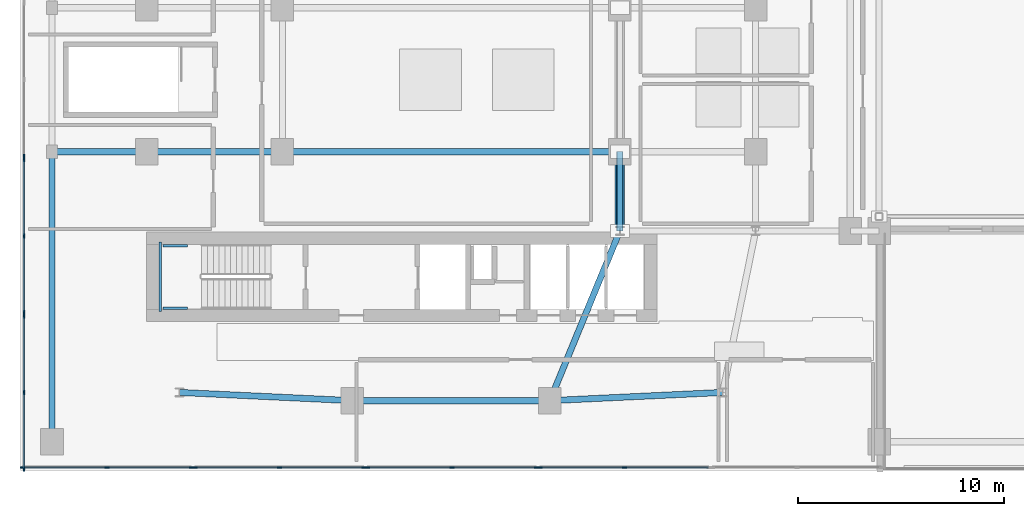
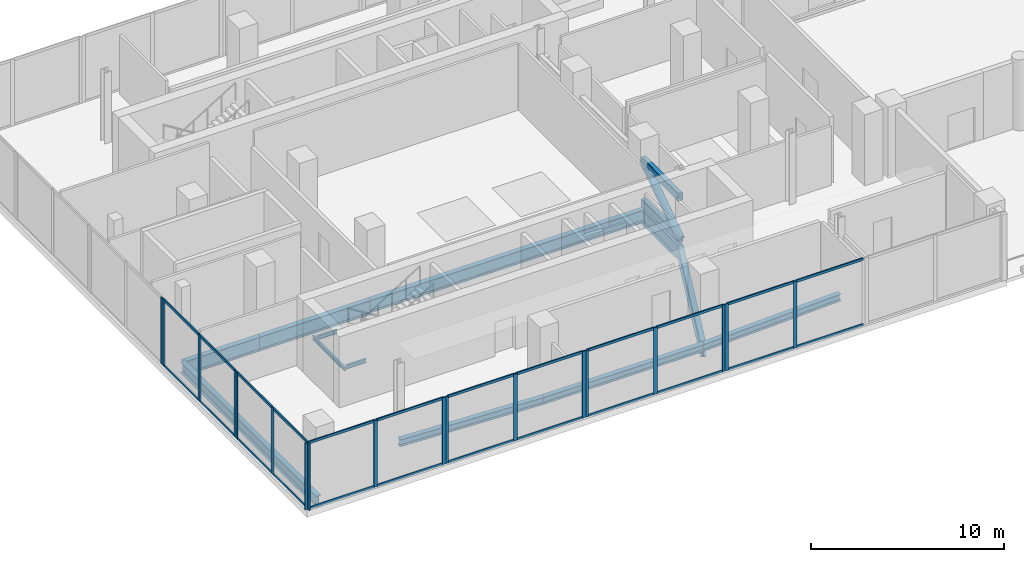
# One storey, part 4 of 21: 45 members, 12 beams, 7 elements without a shape of their own.
"""IFC4 building model written with IfcOpenShell, lengths in metres."""

from ifc_helpers import new_model, si_unit, derived_unit, direction, frame, origin, origin_2d, place, context, subcontext, project, spatial, rectangle, hollow_rectangle, hollow_circle, i_section, extrude, material, layer, layer_set, material_profile, profile_set, type_object, element, aggregate, save


model = new_model("IFC4")

# Units and contexts
model_context = context("Model", 3, precision=1e-05, world=origin(), true_north=direction((0.0, 1.0)))
body_context = subcontext(model_context, "Body", "Model", "MODEL_VIEW")
ifc_project = project(units=[si_unit("LENGTHUNIT", "METRE"), si_unit("AREAUNIT", "SQUARE_METRE"), si_unit("VOLUMEUNIT", "CUBIC_METRE"), si_unit("PLANEANGLEUNIT", "RADIAN"), si_unit("MASSUNIT", "GRAM", prefix="KILO"), derived_unit("THERMALTRANSMITTANCEUNIT", [(si_unit("POWERUNIT", "WATT"), 1), (si_unit("LENGTHUNIT", "METRE"), -2), (si_unit("THERMODYNAMICTEMPERATUREUNIT", "KELVIN"), -1)])], contexts=[model_context])

# Site, building, storey
site_placement = place(None, origin())
site = spatial("IfcSite", under=ifc_project, at=site_placement, CompositionType="ELEMENT")
building_placement = place(site_placement, origin())
building = spatial("IfcBuilding", under=site, at=building_placement, Name="Kivonza Crest Hotel", CompositionType="ELEMENT")
storey_placement = place(building_placement, frame((0.0, 0.0, 19.5)))
storey = spatial("IfcBuildingStorey", under=building, at=storey_placement, Name="L04", CompositionType="ELEMENT", Elevation=19.5)

# Beams
ifc_material_1 = material(Name="Steel S355", Category="steel")
ifc_material_profile_1 = material_profile(ifc_material_1, i_section(OverallWidth=0.300048828125, OverallDepth=0.449951171875, WebThickness=0.013916015625, FlangeThickness=0.02587890625, FilletRadius=0.027099609375, at=origin_2d()), Name="HEB 450")
ifc_profile_set_1 = profile_set([ifc_material_profile_1], Name="Steel S355")
beam_type_1 = type_object("IfcBeamType", Name="BM-HEB450", PredefinedType="SPANDREL", material=ifc_profile_set_1)
beam_1_placement = place(storey_placement, frame((16.199951171875, 9.39990234375, -0.625), z_axis=(1.0, 0.0, 0.0), x_axis=(0.0, 1.0, 0.0)))
element("IfcBeam", 1, at=beam_1_placement, inside=storey, type_object=beam_type_1, Name="Tower T1 L04 perimeter spandrel S1-S2", PredefinedType="SPANDREL", context=body_context, shape_type="SweptSolid", body=[
    extrude(i_section(OverallWidth=0.300048828125, OverallDepth=0.449951171875, WebThickness=0.013916015625, FlangeThickness=0.02587890625, FilletRadius=0.027099609375, at=origin_2d()), origin(), (0.0, 0.0, 1.0), 9.60009765625),
])
for number, where, z_axis, x_axis, name in (
    (2, (25.800048828125, 9.39990234375, -0.625), (0.998867283688, 0.047583080799, 0.0), (-0.047583080799, 0.998867283688, 0.0), "Tower T1 L04 perimeter spandrel S2-SE"),
    (3, (7.800048828125, 9.800048828125, -0.625), (0.998867283688, -0.047583080799, 0.0), (0.047583080799, 0.998867283688, 0.0), "Tower T1 L04 perimeter spandrel SW-S1"),
):
    element("IfcBeam", number, at=place(storey_placement, frame(where, z_axis=z_axis, x_axis=x_axis)), inside=storey, type_object=beam_type_1, Name=name, PredefinedType="SPANDREL", context=body_context, shape_type="SweptSolid", body=[
        extrude(i_section(OverallWidth=0.300048828125, OverallDepth=0.449951171875, WebThickness=0.013916015625, FlangeThickness=0.02587890625, FilletRadius=0.027099609375, at=origin_2d()), origin(), (0.0, 0.0, 1.0), 8.409423828125),
    ])
ifc_material_profile_2 = material_profile(ifc_material_1, i_section(OverallWidth=0.300048828125, OverallDepth=0.699951171875, WebThickness=0.01708984375, FlangeThickness=0.031982421875, FilletRadius=0.027099609375, at=origin_2d()), Name="HEB 700")
ifc_profile_set_2 = profile_set([ifc_material_profile_2], Name="Steel S355")
beam_type_2 = type_object("IfcBeamType", Name="BM-HEB700", PredefinedType="BEAM", material=ifc_profile_set_2)
beam_2_placement = place(storey_placement, frame((1.60009765625, 7.39990234375, -0.75), z_axis=(0.0, 1.0, 0.0), x_axis=(-1.0, 0.0, 0.0)))
element("IfcBeam", 4, at=beam_2_placement, inside=storey, type_object=beam_type_2, Name="L04 podium girder Y 31", PredefinedType="BEAM", context=body_context, shape_type="SweptSolid", body=[
    extrude(i_section(OverallWidth=0.300048828125, OverallDepth=0.699951171875, WebThickness=0.01708984375, FlangeThickness=0.031982421875, FilletRadius=0.027099609375, at=origin_2d()), origin(), (0.0, 0.0, 1.0), 14.10009765625),
])
ifc_material_profile_3 = material_profile(ifc_material_1, i_section(OverallWidth=0.300048828125, OverallDepth=0.800048828125, WebThickness=0.017578125, FlangeThickness=0.032958984375, FilletRadius=0.030029296875, at=origin_2d()), Name="HEB 800")
ifc_profile_set_3 = profile_set([ifc_material_profile_3], Name="Steel S355")
beam_type_3 = type_object("IfcBeamType", Name="BM-HEB800", PredefinedType="BEAM", material=ifc_profile_set_3)
beam_3_placement = place(storey_placement, frame((12.800048828125, 21.5, -0.800048828125), z_axis=(1.0, 0.0, 0.0), x_axis=(0.0, 1.0, 0.0)))
element("IfcBeam", 5, at=beam_3_placement, inside=storey, type_object=beam_type_3, Name="L04 podium girder X 11", PredefinedType="BEAM", context=body_context, shape_type="SweptSolid", body=[
    extrude(i_section(OverallWidth=0.300048828125, OverallDepth=0.800048828125, WebThickness=0.017578125, FlangeThickness=0.032958984375, FilletRadius=0.030029296875, at=origin_2d()), origin(), (0.0, 0.0, 1.0), 16.39990234375),
])
ifc_material_profile_4 = material_profile(ifc_material_1, i_section(OverallWidth=0.300048828125, OverallDepth=0.89990234375, WebThickness=0.0185546875, FlangeThickness=0.034912109375, FilletRadius=0.030029296875, at=origin_2d()), Name="HEB 900")
ifc_profile_set_4 = profile_set([ifc_material_profile_4], Name="Steel S355")
beam_type_4 = type_object("IfcBeamType", Name="BM-HEB900", PredefinedType="BEAM", material=ifc_profile_set_4)
beam_4_placement = place(storey_placement, frame((6.199951171875, 21.5, -0.85009765625), z_axis=(1.0, 0.0, 0.0), x_axis=(0.0, 1.0, 0.0)))
element("IfcBeam", 6, at=beam_4_placement, inside=storey, type_object=beam_type_4, Name="Tower T1 L04 primary girder W1-WL1", PredefinedType="BEAM", context=body_context, shape_type="SweptSolid", body=[
    extrude(i_section(OverallWidth=0.300048828125, OverallDepth=0.89990234375, WebThickness=0.0185546875, FlangeThickness=0.034912109375, FilletRadius=0.030029296875, at=origin_2d()), origin(), (0.0, 0.0, 1.0), 6.60009765625),
])
beam_5_placement = place(storey_placement, frame((25.800048828125, 9.39990234375, -0.85009765625), z_axis=(0.381022260404, 0.924565864109, 0.0), x_axis=(-0.924565864109, 0.381022260404, 0.0)))
element("IfcBeam", 7, at=beam_5_placement, inside=storey, type_object=beam_type_4, Name="Tower T1 L04 primary girder S1-TSE", PredefinedType="BEAM", context=body_context, shape_type="SweptSolid", body=[
    extrude(i_section(OverallWidth=0.300048828125, OverallDepth=0.89990234375, WebThickness=0.0185546875, FlangeThickness=0.034912109375, FilletRadius=0.030029296875, at=origin_2d()), origin(), (0.0, 0.0, 1.0), 8.923095703125),
])
beam_6_placement = place(storey_placement, frame((29.199951171875, 17.64990234375, -0.85009765625), z_axis=(0.0, 1.0, 0.0), x_axis=(-1.0, 0.0, 0.0)))
element("IfcBeam", 8, at=beam_6_placement, inside=storey, type_object=beam_type_4, Name="Tower T1 L04 primary girder TSE-WR1", PredefinedType="BEAM", context=body_context, shape_type="SweptSolid", body=[
    extrude(i_section(OverallWidth=0.300048828125, OverallDepth=0.89990234375, WebThickness=0.0185546875, FlangeThickness=0.034912109375, FilletRadius=0.030029296875, at=origin_2d()), origin(), (0.0, 0.0, 1.0), 3.85009765625),
])
beam_7_placement = place(storey_placement, frame((1.60009765625, 21.5, -0.85009765625), z_axis=(1.0, 0.0, 0.0), x_axis=(0.0, 1.0, 0.0)))
element("IfcBeam", 9, at=beam_7_placement, inside=storey, type_object=beam_type_4, Name="Tower T1 L04 outer bay girder ZW1", PredefinedType="BEAM", context=body_context, shape_type="SweptSolid", body=[
    extrude(i_section(OverallWidth=0.300048828125, OverallDepth=0.89990234375, WebThickness=0.0185546875, FlangeThickness=0.034912109375, FilletRadius=0.030029296875, at=origin_2d()), origin(), (0.0, 0.0, 1.0), 4.599853515625),
])
ifc_material_profile_5 = material_profile(ifc_material_1, i_section(OverallWidth=0.1201171875, OverallDepth=0.239990234375, WebThickness=0.006103515625, FlangeThickness=0.009765625, FilletRadius=0.014892578125, at=origin_2d()), Name="IPE 240")
ifc_profile_set_5 = profile_set([ifc_material_profile_5], Name="Steel S355")
beam_type_5 = type_object("IfcBeamType", Name="BM-LLDG-240", PredefinedType="BEAM", material=ifc_profile_set_5)
beam_8_placement = place(storey_placement, frame((6.860107421875, 13.739990234375, 1.929931640625), z_axis=(0.0, 1.0, 0.0), x_axis=(-1.0, 0.0, 0.0)))
element("IfcBeam", 10, at=beam_8_placement, inside=storey, type_object=beam_type_5, Name="Stair ST-T1-S L04 West landing corbel", PredefinedType="BEAM", context=body_context, shape_type="SweptSolid", body=[
    extrude(i_section(OverallWidth=0.1201171875, OverallDepth=0.239990234375, WebThickness=0.006103515625, FlangeThickness=0.009765625, FilletRadius=0.014892578125, at=origin_2d()), origin(), (0.0, 0.0, 1.0), 3.360107421875),
])
for number, where, z_axis, x_axis, name in (
    (11, (6.989990234375, 13.89990234375, 1.929931640625), (1.0, 0.0, 0.0), (0.0, 1.0, 0.0), "Stair ST-T1-S L04 South landing corbel"),
    (12, (6.989990234375, 16.93994140625, 1.929931640625), (1.0, 0.0, 0.0), (0.0, 1.0, 0.0), "Stair ST-T1-S L04 North landing corbel"),
):
    element("IfcBeam", number, at=place(storey_placement, frame(where, z_axis=z_axis, x_axis=x_axis)), inside=storey, type_object=beam_type_5, Name=name, PredefinedType="BEAM", context=body_context, shape_type="SweptSolid", body=[
        extrude(i_section(OverallWidth=0.1201171875, OverallDepth=0.239990234375, WebThickness=0.006103515625, FlangeThickness=0.009765625, FilletRadius=0.014892578125, at=origin_2d()), origin(), (0.0, 0.0, 1.0), 1.2099609375),
    ])

# Curtain wall, members
ifc_material_2 = material(Name="Anodised bronze aluminium and low-E double glazing", Category="aluminium")
ifc_layer = layer(ifc_material_2, 0.199951171875)
ifc_layer_set = layer_set([ifc_layer], Name="Anodised bronze aluminium and low-E double glazing")
curtain_wall_type = type_object("IfcCurtainWallType", Name="CW-SYS-6", PredefinedType="NOTDEFINED", material=ifc_layer_set)
curtain_wall_1_placement = place(storey_placement, origin())
curtain_wall_1 = element("IfcCurtainWall", 13, at=curtain_wall_1_placement, inside=storey, type_object=curtain_wall_type, Name="L04 unitised curtain wall CW-POD-L04-01", PredefinedType="NOTDEFINED")
ifc_material_3 = material(Name="Anodised bronze aluminium", Category="aluminium")
ifc_material_profile_6 = material_profile(ifc_material_3, rectangle(XDim=0.074951171875, YDim=0.219970703125, at=origin_2d()), Name="CW-M 75x220")
ifc_profile_set_6 = profile_set([ifc_material_profile_6], Name="Anodised bronze aluminium")
member_type_1 = type_object("IfcMemberType", Name="CW-MUL-75x220", PredefinedType="MULLION", material=ifc_profile_set_6)
member_1_placement = place(storey_placement, frame((0.157470703125, 6.159912109375, 0.0), z_axis=(0.0, 0.0, 1.0), x_axis=(0.0, 1.0, 0.0)))
member_1 = element("IfcMember", 14, at=member_1_placement, type_object=member_type_1, Name="CW-6 mullion 1", PredefinedType="MULLION", context=body_context, shape_type="SweptSolid", body=[
    extrude(rectangle(XDim=0.074951171875, YDim=0.219970703125, at=origin_2d()), origin(), (0.0, 0.0, 1.0), 4.219970703125),
])
member_2_placement = place(storey_placement, frame((4.27197265625, 6.159912109375, 0.0), z_axis=(0.0, 0.0, 1.0), x_axis=(0.0, 1.0, 0.0)))
member_2 = element("IfcMember", 15, at=member_2_placement, type_object=member_type_1, Name="CW-6 mullion 2", PredefinedType="MULLION", context=body_context, shape_type="SweptSolid", body=[
    extrude(rectangle(XDim=0.074951171875, YDim=0.219970703125, at=origin_2d()), origin(), (0.0, 0.0, 1.0), 4.219970703125),
])
member_3_placement = place(storey_placement, frame((8.386474609375, 6.159912109375, 0.0), z_axis=(0.0, 0.0, 1.0), x_axis=(0.0, 1.0, 0.0)))
member_3 = element("IfcMember", 16, at=member_3_placement, type_object=member_type_1, Name="CW-6 mullion 3", PredefinedType="MULLION", context=body_context, shape_type="SweptSolid", body=[
    extrude(rectangle(XDim=0.074951171875, YDim=0.219970703125, at=origin_2d()), origin(), (0.0, 0.0, 1.0), 4.219970703125),
])

curtain_wall_2_placement = place(storey_placement, origin())
curtain_wall_2 = element("IfcCurtainWall", 17, at=curtain_wall_2_placement, inside=storey, type_object=curtain_wall_type, Name="L04 unitised curtain wall CW-POD-L04-02", PredefinedType="NOTDEFINED")
member_4_placement = place(storey_placement, frame((8.54150390625, 6.159912109375, 0.0), z_axis=(0.0, 0.0, 1.0), x_axis=(0.0, 1.0, 0.0)))
member_4 = element("IfcMember", 18, at=member_4_placement, type_object=member_type_1, Name="CW-6 mullion 1", PredefinedType="MULLION", context=body_context, shape_type="SweptSolid", body=[
    extrude(rectangle(XDim=0.074951171875, YDim=0.219970703125, at=origin_2d()), origin(), (0.0, 0.0, 1.0), 4.219970703125),
])
member_5_placement = place(storey_placement, frame((12.656005859375, 6.159912109375, 0.0), z_axis=(0.0, 0.0, 1.0), x_axis=(0.0, 1.0, 0.0)))
member_5 = element("IfcMember", 19, at=member_5_placement, type_object=member_type_1, Name="CW-6 mullion 2", PredefinedType="MULLION", context=body_context, shape_type="SweptSolid", body=[
    extrude(rectangle(XDim=0.074951171875, YDim=0.219970703125, at=origin_2d()), origin(), (0.0, 0.0, 1.0), 4.219970703125),
])
member_6_placement = place(storey_placement, frame((16.7705078125, 6.159912109375, 0.0), z_axis=(0.0, 0.0, 1.0), x_axis=(0.0, 1.0, 0.0)))
member_6 = element("IfcMember", 20, at=member_6_placement, type_object=member_type_1, Name="CW-6 mullion 3", PredefinedType="MULLION", context=body_context, shape_type="SweptSolid", body=[
    extrude(rectangle(XDim=0.074951171875, YDim=0.219970703125, at=origin_2d()), origin(), (0.0, 0.0, 1.0), 4.219970703125),
])

curtain_wall_3_placement = place(storey_placement, origin())
curtain_wall_3 = element("IfcCurtainWall", 21, at=curtain_wall_3_placement, inside=storey, type_object=curtain_wall_type, Name="L04 unitised curtain wall CW-POD-L04-03", PredefinedType="NOTDEFINED")
member_7_placement = place(storey_placement, frame((16.925537109375, 6.159912109375, 0.0), z_axis=(0.0, 0.0, 1.0), x_axis=(0.0, 1.0, 0.0)))
member_7 = element("IfcMember", 22, at=member_7_placement, type_object=member_type_1, Name="CW-6 mullion 1", PredefinedType="MULLION", context=body_context, shape_type="SweptSolid", body=[
    extrude(rectangle(XDim=0.074951171875, YDim=0.219970703125, at=origin_2d()), origin(), (0.0, 0.0, 1.0), 4.219970703125),
])
member_8_placement = place(storey_placement, frame((21.0400390625, 6.159912109375, 0.0), z_axis=(0.0, 0.0, 1.0), x_axis=(0.0, 1.0, 0.0)))
member_8 = element("IfcMember", 23, at=member_8_placement, type_object=member_type_1, Name="CW-6 mullion 2", PredefinedType="MULLION", context=body_context, shape_type="SweptSolid", body=[
    extrude(rectangle(XDim=0.074951171875, YDim=0.219970703125, at=origin_2d()), origin(), (0.0, 0.0, 1.0), 4.219970703125),
])
member_9_placement = place(storey_placement, frame((25.154541015625, 6.159912109375, 0.0), z_axis=(0.0, 0.0, 1.0), x_axis=(0.0, 1.0, 0.0)))
member_9 = element("IfcMember", 24, at=member_9_placement, type_object=member_type_1, Name="CW-6 mullion 3", PredefinedType="MULLION", context=body_context, shape_type="SweptSolid", body=[
    extrude(rectangle(XDim=0.074951171875, YDim=0.219970703125, at=origin_2d()), origin(), (0.0, 0.0, 1.0), 4.219970703125),
])

curtain_wall_4_placement = place(storey_placement, origin())
curtain_wall_4 = element("IfcCurtainWall", 25, at=curtain_wall_4_placement, inside=storey, type_object=curtain_wall_type, Name="L04 unitised curtain wall CW-POD-L04-04", PredefinedType="NOTDEFINED")
member_10_placement = place(storey_placement, frame((25.3095703125, 6.159912109375, 0.0), z_axis=(0.0, 0.0, 1.0), x_axis=(0.0, 1.0, 0.0)))
member_10 = element("IfcMember", 26, at=member_10_placement, type_object=member_type_1, Name="CW-6 mullion 1", PredefinedType="MULLION", context=body_context, shape_type="SweptSolid", body=[
    extrude(rectangle(XDim=0.074951171875, YDim=0.219970703125, at=origin_2d()), origin(), (0.0, 0.0, 1.0), 4.219970703125),
])
member_11_placement = place(storey_placement, frame((29.424072265625, 6.159912109375, 0.0), z_axis=(0.0, 0.0, 1.0), x_axis=(0.0, 1.0, 0.0)))
member_11 = element("IfcMember", 27, at=member_11_placement, type_object=member_type_1, Name="CW-6 mullion 2", PredefinedType="MULLION", context=body_context, shape_type="SweptSolid", body=[
    extrude(rectangle(XDim=0.074951171875, YDim=0.219970703125, at=origin_2d()), origin(), (0.0, 0.0, 1.0), 4.219970703125),
])

# Curtain wall, member
curtain_wall_5_placement = place(storey_placement, origin())
curtain_wall_5 = element("IfcCurtainWall", 28, at=curtain_wall_5_placement, inside=storey, type_object=curtain_wall_type, Name="L04 unitised curtain wall CW-POD-L04-38", PredefinedType="NOTDEFINED")
member_12_placement = place(storey_placement, frame((0.239990234375, 21.277587890625, 0.0), z_axis=(0.0, 0.0, 1.0), x_axis=(1.0, 0.0, 0.0)))
member_12 = element("IfcMember", 29, at=member_12_placement, type_object=member_type_1, Name="CW-6 mullion 3", PredefinedType="MULLION", context=body_context, shape_type="SweptSolid", body=[
    extrude(rectangle(XDim=0.074951171875, YDim=0.219970703125, at=origin_2d()), origin(), (0.0, 0.0, 1.0), 4.219970703125),
])
aggregate(curtain_wall_5, [member_12])

# Curtain wall, members
curtain_wall_6_placement = place(storey_placement, origin())
curtain_wall_6 = element("IfcCurtainWall", 30, at=curtain_wall_6_placement, inside=storey, type_object=curtain_wall_type, Name="L04 unitised curtain wall CW-POD-L04-39", PredefinedType="NOTDEFINED")
member_13_placement = place(storey_placement, frame((0.239990234375, 21.12255859375, 0.0), z_axis=(0.0, 0.0, 1.0), x_axis=(1.0, 0.0, 0.0)))
member_13 = element("IfcMember", 31, at=member_13_placement, type_object=member_type_1, Name="CW-6 mullion 1", PredefinedType="MULLION", context=body_context, shape_type="SweptSolid", body=[
    extrude(rectangle(XDim=0.074951171875, YDim=0.219970703125, at=origin_2d()), origin(), (0.0, 0.0, 1.0), 4.219970703125),
])
member_14_placement = place(storey_placement, frame((0.239990234375, 17.39990234375, 0.0), z_axis=(0.0, 0.0, 1.0), x_axis=(1.0, 0.0, 0.0)))
member_14 = element("IfcMember", 32, at=member_14_placement, type_object=member_type_1, Name="CW-6 mullion 2", PredefinedType="MULLION", context=body_context, shape_type="SweptSolid", body=[
    extrude(rectangle(XDim=0.074951171875, YDim=0.219970703125, at=origin_2d()), origin(), (0.0, 0.0, 1.0), 4.219970703125),
])
member_15_placement = place(storey_placement, frame((0.239990234375, 13.677490234375, 0.0), z_axis=(0.0, 0.0, 1.0), x_axis=(1.0, 0.0, 0.0)))
member_15 = element("IfcMember", 33, at=member_15_placement, type_object=member_type_1, Name="CW-6 mullion 3", PredefinedType="MULLION", context=body_context, shape_type="SweptSolid", body=[
    extrude(rectangle(XDim=0.074951171875, YDim=0.219970703125, at=origin_2d()), origin(), (0.0, 0.0, 1.0), 4.219970703125),
])

curtain_wall_7_placement = place(storey_placement, origin())
curtain_wall_7 = element("IfcCurtainWall", 34, at=curtain_wall_7_placement, inside=storey, type_object=curtain_wall_type, Name="L04 unitised curtain wall CW-POD-L04-40", PredefinedType="NOTDEFINED")
member_16_placement = place(storey_placement, frame((0.239990234375, 13.5224609375, 0.0), z_axis=(0.0, 0.0, 1.0), x_axis=(1.0, 0.0, 0.0)))
member_16 = element("IfcMember", 35, at=member_16_placement, type_object=member_type_1, Name="CW-6 mullion 1", PredefinedType="MULLION", context=body_context, shape_type="SweptSolid", body=[
    extrude(rectangle(XDim=0.074951171875, YDim=0.219970703125, at=origin_2d()), origin(), (0.0, 0.0, 1.0), 4.219970703125),
])
member_17_placement = place(storey_placement, frame((0.239990234375, 9.800048828125, 0.0), z_axis=(0.0, 0.0, 1.0), x_axis=(1.0, 0.0, 0.0)))
member_17 = element("IfcMember", 36, at=member_17_placement, type_object=member_type_1, Name="CW-6 mullion 2", PredefinedType="MULLION", context=body_context, shape_type="SweptSolid", body=[
    extrude(rectangle(XDim=0.074951171875, YDim=0.219970703125, at=origin_2d()), origin(), (0.0, 0.0, 1.0), 4.219970703125),
])
member_18_placement = place(storey_placement, frame((0.239990234375, 6.077392578125, 0.0), z_axis=(0.0, 0.0, 1.0), x_axis=(1.0, 0.0, 0.0)))
member_18 = element("IfcMember", 37, at=member_18_placement, type_object=member_type_1, Name="CW-6 mullion 3", PredefinedType="MULLION", context=body_context, shape_type="SweptSolid", body=[
    extrude(rectangle(XDim=0.074951171875, YDim=0.219970703125, at=origin_2d()), origin(), (0.0, 0.0, 1.0), 4.219970703125),
])

# Member
ifc_material_profile_7 = material_profile(ifc_material_3, rectangle(XDim=0.074951171875, YDim=0.159912109375, at=origin_2d()), Name="CW-T 75x160")
ifc_profile_set_7 = profile_set([ifc_material_profile_7], Name="Anodised bronze aluminium")
member_type_2 = type_object("IfcMemberType", Name="CW-TRN-75x160", PredefinedType="USERDEFINED", material=ifc_profile_set_7)
member_19_placement = place(storey_placement, frame((0.195068359375, 6.159912109375, 0.03759765625), z_axis=(1.0, 0.0, 0.0), x_axis=(0.0, 1.0, 0.0)))
member_19 = element("IfcMember", 38, at=member_19_placement, type_object=member_type_2, Name="CW-6 transom 1.1", ObjectType="TRANSOM", PredefinedType="USERDEFINED", context=body_context, shape_type="SweptSolid", body=[
    extrude(rectangle(XDim=0.074951171875, YDim=0.159912109375, at=origin_2d()), origin(), (0.0, 0.0, 1.0), 4.03955078125),
])

member_20_placement = place(storey_placement, frame((0.195068359375, 6.159912109375, 4.1826171875), z_axis=(1.0, 0.0, 0.0), x_axis=(0.0, 1.0, 0.0)))
member_20 = element("IfcMember", 39, at=member_20_placement, type_object=member_type_2, Name="CW-6 transom 1.2", ObjectType="TRANSOM", PredefinedType="USERDEFINED", context=body_context, shape_type="SweptSolid", body=[
    extrude(rectangle(XDim=0.074951171875, YDim=0.159912109375, at=origin_2d()), origin(), (0.0, 0.0, 1.0), 4.03955078125),
])

member_21_placement = place(storey_placement, frame((4.3095703125, 6.159912109375, 0.03759765625), z_axis=(1.0, 0.0, 0.0), x_axis=(0.0, 1.0, 0.0)))
member_21 = element("IfcMember", 40, at=member_21_placement, type_object=member_type_2, Name="CW-6 transom 2.1", ObjectType="TRANSOM", PredefinedType="USERDEFINED", context=body_context, shape_type="SweptSolid", body=[
    extrude(rectangle(XDim=0.074951171875, YDim=0.159912109375, at=origin_2d()), origin(), (0.0, 0.0, 1.0), 4.03955078125),
])

member_22_placement = place(storey_placement, frame((4.3095703125, 6.159912109375, 4.1826171875), z_axis=(1.0, 0.0, 0.0), x_axis=(0.0, 1.0, 0.0)))
member_22 = element("IfcMember", 41, at=member_22_placement, type_object=member_type_2, Name="CW-6 transom 2.2", ObjectType="TRANSOM", PredefinedType="USERDEFINED", context=body_context, shape_type="SweptSolid", body=[
    extrude(rectangle(XDim=0.074951171875, YDim=0.159912109375, at=origin_2d()), origin(), (0.0, 0.0, 1.0), 4.03955078125),
])

aggregate(curtain_wall_1, [member_1, member_2, member_3, member_19, member_20, member_21, member_22])

member_23_placement = place(storey_placement, frame((8.5791015625, 6.159912109375, 0.03759765625), z_axis=(1.0, 0.0, 0.0), x_axis=(0.0, 1.0, 0.0)))
member_23 = element("IfcMember", 42, at=member_23_placement, type_object=member_type_2, Name="CW-6 transom 1.1", ObjectType="TRANSOM", PredefinedType="USERDEFINED", context=body_context, shape_type="SweptSolid", body=[
    extrude(rectangle(XDim=0.074951171875, YDim=0.159912109375, at=origin_2d()), origin(), (0.0, 0.0, 1.0), 4.039306640625),
])

member_24_placement = place(storey_placement, frame((8.5791015625, 6.159912109375, 4.1826171875), z_axis=(1.0, 0.0, 0.0), x_axis=(0.0, 1.0, 0.0)))
member_24 = element("IfcMember", 43, at=member_24_placement, type_object=member_type_2, Name="CW-6 transom 1.2", ObjectType="TRANSOM", PredefinedType="USERDEFINED", context=body_context, shape_type="SweptSolid", body=[
    extrude(rectangle(XDim=0.074951171875, YDim=0.159912109375, at=origin_2d()), origin(), (0.0, 0.0, 1.0), 4.039306640625),
])

member_25_placement = place(storey_placement, frame((12.693603515625, 6.159912109375, 0.03759765625), z_axis=(1.0, 0.0, 0.0), x_axis=(0.0, 1.0, 0.0)))
member_25 = element("IfcMember", 44, at=member_25_placement, type_object=member_type_2, Name="CW-6 transom 2.1", ObjectType="TRANSOM", PredefinedType="USERDEFINED", context=body_context, shape_type="SweptSolid", body=[
    extrude(rectangle(XDim=0.074951171875, YDim=0.159912109375, at=origin_2d()), origin(), (0.0, 0.0, 1.0), 4.039306640625),
])

member_26_placement = place(storey_placement, frame((12.693603515625, 6.159912109375, 4.1826171875), z_axis=(1.0, 0.0, 0.0), x_axis=(0.0, 1.0, 0.0)))
member_26 = element("IfcMember", 45, at=member_26_placement, type_object=member_type_2, Name="CW-6 transom 2.2", ObjectType="TRANSOM", PredefinedType="USERDEFINED", context=body_context, shape_type="SweptSolid", body=[
    extrude(rectangle(XDim=0.074951171875, YDim=0.159912109375, at=origin_2d()), origin(), (0.0, 0.0, 1.0), 4.039306640625),
])

aggregate(curtain_wall_2, [member_4, member_5, member_6, member_23, member_24, member_25, member_26])

member_27_placement = place(storey_placement, frame((16.962890625, 6.159912109375, 0.03759765625), z_axis=(1.0, 0.0, 0.0), x_axis=(0.0, 1.0, 0.0)))
member_27 = element("IfcMember", 46, at=member_27_placement, type_object=member_type_2, Name="CW-6 transom 1.1", ObjectType="TRANSOM", PredefinedType="USERDEFINED", context=body_context, shape_type="SweptSolid", body=[
    extrude(rectangle(XDim=0.074951171875, YDim=0.159912109375, at=origin_2d()), origin(), (0.0, 0.0, 1.0), 4.03955078125),
])

member_28_placement = place(storey_placement, frame((16.962890625, 6.159912109375, 4.1826171875), z_axis=(1.0, 0.0, 0.0), x_axis=(0.0, 1.0, 0.0)))
member_28 = element("IfcMember", 47, at=member_28_placement, type_object=member_type_2, Name="CW-6 transom 1.2", ObjectType="TRANSOM", PredefinedType="USERDEFINED", context=body_context, shape_type="SweptSolid", body=[
    extrude(rectangle(XDim=0.074951171875, YDim=0.159912109375, at=origin_2d()), origin(), (0.0, 0.0, 1.0), 4.03955078125),
])

member_29_placement = place(storey_placement, frame((21.077392578125, 6.159912109375, 0.03759765625), z_axis=(1.0, 0.0, 0.0), x_axis=(0.0, 1.0, 0.0)))
member_29 = element("IfcMember", 48, at=member_29_placement, type_object=member_type_2, Name="CW-6 transom 2.1", ObjectType="TRANSOM", PredefinedType="USERDEFINED", context=body_context, shape_type="SweptSolid", body=[
    extrude(rectangle(XDim=0.074951171875, YDim=0.159912109375, at=origin_2d()), origin(), (0.0, 0.0, 1.0), 4.03955078125),
])

member_30_placement = place(storey_placement, frame((21.077392578125, 6.159912109375, 4.1826171875), z_axis=(1.0, 0.0, 0.0), x_axis=(0.0, 1.0, 0.0)))
member_30 = element("IfcMember", 49, at=member_30_placement, type_object=member_type_2, Name="CW-6 transom 2.2", ObjectType="TRANSOM", PredefinedType="USERDEFINED", context=body_context, shape_type="SweptSolid", body=[
    extrude(rectangle(XDim=0.074951171875, YDim=0.159912109375, at=origin_2d()), origin(), (0.0, 0.0, 1.0), 4.03955078125),
])

aggregate(curtain_wall_3, [member_7, member_8, member_9, member_27, member_28, member_29, member_30])

member_31_placement = place(storey_placement, frame((25.346923828125, 6.159912109375, 0.03759765625), z_axis=(1.0, 0.0, 0.0), x_axis=(0.0, 1.0, 0.0)))
member_31 = element("IfcMember", 50, at=member_31_placement, type_object=member_type_2, Name="CW-6 transom 1.1", ObjectType="TRANSOM", PredefinedType="USERDEFINED", context=body_context, shape_type="SweptSolid", body=[
    extrude(rectangle(XDim=0.074951171875, YDim=0.159912109375, at=origin_2d()), origin(), (0.0, 0.0, 1.0), 4.03955078125),
])

member_32_placement = place(storey_placement, frame((25.346923828125, 6.159912109375, 4.1826171875), z_axis=(1.0, 0.0, 0.0), x_axis=(0.0, 1.0, 0.0)))
member_32 = element("IfcMember", 51, at=member_32_placement, type_object=member_type_2, Name="CW-6 transom 1.2", ObjectType="TRANSOM", PredefinedType="USERDEFINED", context=body_context, shape_type="SweptSolid", body=[
    extrude(rectangle(XDim=0.074951171875, YDim=0.159912109375, at=origin_2d()), origin(), (0.0, 0.0, 1.0), 4.03955078125),
])

member_33_placement = place(storey_placement, frame((29.46142578125, 6.159912109375, 0.03759765625), z_axis=(1.0, 0.0, 0.0), x_axis=(0.0, 1.0, 0.0)))
member_33 = element("IfcMember", 52, at=member_33_placement, type_object=member_type_2, Name="CW-6 transom 2.1", ObjectType="TRANSOM", PredefinedType="USERDEFINED", context=body_context, shape_type="SweptSolid", body=[
    extrude(rectangle(XDim=0.074951171875, YDim=0.159912109375, at=origin_2d()), origin(), (0.0, 0.0, 1.0), 4.03955078125),
])

member_34_placement = place(storey_placement, frame((29.46142578125, 6.159912109375, 4.1826171875), z_axis=(1.0, 0.0, 0.0), x_axis=(0.0, 1.0, 0.0)))
member_34 = element("IfcMember", 53, at=member_34_placement, type_object=member_type_2, Name="CW-6 transom 2.2", ObjectType="TRANSOM", PredefinedType="USERDEFINED", context=body_context, shape_type="SweptSolid", body=[
    extrude(rectangle(XDim=0.074951171875, YDim=0.159912109375, at=origin_2d()), origin(), (0.0, 0.0, 1.0), 4.03955078125),
])

aggregate(curtain_wall_4, [member_10, member_11, member_31, member_32, member_33, member_34])

member_35_placement = place(storey_placement, frame((0.239990234375, 21.0849609375, 0.03759765625), z_axis=(0.0, -1.0, 0.0), x_axis=(1.0, 0.0, 0.0)))
member_35 = element("IfcMember", 54, at=member_35_placement, type_object=member_type_2, Name="CW-6 transom 1.1", ObjectType="TRANSOM", PredefinedType="USERDEFINED", context=body_context, shape_type="SweptSolid", body=[
    extrude(rectangle(XDim=0.074951171875, YDim=0.159912109375, at=origin_2d()), origin(), (0.0, 0.0, 1.0), 3.6474609375),
])

member_36_placement = place(storey_placement, frame((0.239990234375, 21.0849609375, 4.1826171875), z_axis=(0.0, -1.0, 0.0), x_axis=(1.0, 0.0, 0.0)))
member_36 = element("IfcMember", 55, at=member_36_placement, type_object=member_type_2, Name="CW-6 transom 1.2", ObjectType="TRANSOM", PredefinedType="USERDEFINED", context=body_context, shape_type="SweptSolid", body=[
    extrude(rectangle(XDim=0.074951171875, YDim=0.159912109375, at=origin_2d()), origin(), (0.0, 0.0, 1.0), 3.6474609375),
])

member_37_placement = place(storey_placement, frame((0.239990234375, 17.362548828125, 0.03759765625), z_axis=(0.0, -1.0, 0.0), x_axis=(1.0, 0.0, 0.0)))
member_37 = element("IfcMember", 56, at=member_37_placement, type_object=member_type_2, Name="CW-6 transom 2.1", ObjectType="TRANSOM", PredefinedType="USERDEFINED", context=body_context, shape_type="SweptSolid", body=[
    extrude(rectangle(XDim=0.074951171875, YDim=0.159912109375, at=origin_2d()), origin(), (0.0, 0.0, 1.0), 3.6474609375),
])

member_38_placement = place(storey_placement, frame((0.239990234375, 17.362548828125, 4.1826171875), z_axis=(0.0, -1.0, 0.0), x_axis=(1.0, 0.0, 0.0)))
member_38 = element("IfcMember", 57, at=member_38_placement, type_object=member_type_2, Name="CW-6 transom 2.2", ObjectType="TRANSOM", PredefinedType="USERDEFINED", context=body_context, shape_type="SweptSolid", body=[
    extrude(rectangle(XDim=0.074951171875, YDim=0.159912109375, at=origin_2d()), origin(), (0.0, 0.0, 1.0), 3.6474609375),
])

aggregate(curtain_wall_6, [member_13, member_14, member_15, member_35, member_36, member_37, member_38])

member_39_placement = place(storey_placement, frame((0.239990234375, 13.485107421875, 0.03759765625), z_axis=(0.0, -1.0, 0.0), x_axis=(1.0, 0.0, 0.0)))
member_39 = element("IfcMember", 58, at=member_39_placement, type_object=member_type_2, Name="CW-6 transom 1.1", ObjectType="TRANSOM", PredefinedType="USERDEFINED", context=body_context, shape_type="SweptSolid", body=[
    extrude(rectangle(XDim=0.074951171875, YDim=0.159912109375, at=origin_2d()), origin(), (0.0, 0.0, 1.0), 3.647705078125),
])

member_40_placement = place(storey_placement, frame((0.239990234375, 13.485107421875, 4.1826171875), z_axis=(0.0, -1.0, 0.0), x_axis=(1.0, 0.0, 0.0)))
member_40 = element("IfcMember", 59, at=member_40_placement, type_object=member_type_2, Name="CW-6 transom 1.2", ObjectType="TRANSOM", PredefinedType="USERDEFINED", context=body_context, shape_type="SweptSolid", body=[
    extrude(rectangle(XDim=0.074951171875, YDim=0.159912109375, at=origin_2d()), origin(), (0.0, 0.0, 1.0), 3.647705078125),
])

member_41_placement = place(storey_placement, frame((0.239990234375, 9.762451171875, 0.03759765625), z_axis=(0.0, -1.0, 0.0), x_axis=(1.0, 0.0, 0.0)))
member_41 = element("IfcMember", 60, at=member_41_placement, type_object=member_type_2, Name="CW-6 transom 2.1", ObjectType="TRANSOM", PredefinedType="USERDEFINED", context=body_context, shape_type="SweptSolid", body=[
    extrude(rectangle(XDim=0.074951171875, YDim=0.159912109375, at=origin_2d()), origin(), (0.0, 0.0, 1.0), 3.6474609375),
])

member_42_placement = place(storey_placement, frame((0.239990234375, 9.762451171875, 4.1826171875), z_axis=(0.0, -1.0, 0.0), x_axis=(1.0, 0.0, 0.0)))
member_42 = element("IfcMember", 61, at=member_42_placement, type_object=member_type_2, Name="CW-6 transom 2.2", ObjectType="TRANSOM", PredefinedType="USERDEFINED", context=body_context, shape_type="SweptSolid", body=[
    extrude(rectangle(XDim=0.074951171875, YDim=0.159912109375, at=origin_2d()), origin(), (0.0, 0.0, 1.0), 3.6474609375),
])

aggregate(curtain_wall_7, [member_16, member_17, member_18, member_39, member_40, member_41, member_42])

# Members
ifc_material_profile_8 = material_profile(ifc_material_1, hollow_circle(Radius=0.228515625, WallThickness=0.02490234375, at=origin_2d()), Name="CHS 457x25")
ifc_profile_set_8 = profile_set([ifc_material_profile_8], Name="Steel S355")
member_type_3 = type_object("IfcMemberType", Name="MB-BRACE-CHS457", PredefinedType="BRACE", material=ifc_profile_set_8)
member_43_placement = place(storey_placement, frame((29.199951171875, 17.64990234375, 0.0), z_axis=(0.0, 0.823746136864, 0.566958818612), x_axis=(-1.0, 0.0, 0.0)))
element("IfcMember", 62, at=member_43_placement, inside=storey, type_object=member_type_3, Name="Transfer truss L04 ballroom diagonal brace 1", PredefinedType="BRACE", context=body_context, shape_type="SweptSolid", body=[
    extrude(hollow_circle(Radius=0.228515625, WallThickness=0.02490234375, at=origin_2d()), origin(), (0.0, 0.0, 1.0), 4.673828125),
])
ifc_material_profile_9 = material_profile(ifc_material_1, hollow_rectangle(XDim=0.300048828125, YDim=0.5, WallThickness=0.02001953125, InnerFilletRadius=0.030029296875, OuterFilletRadius=0.050048828125, at=origin_2d()), Name="RHS 500x300x20")
ifc_profile_set_9 = profile_set([ifc_material_profile_9], Name="Steel S355")
member_type_4 = type_object("IfcMemberType", Name="MB-CHORD-RHS500", PredefinedType="CHORD", material=ifc_profile_set_9)
for number, where, z_axis, x_axis, name in (
    (63, (29.199951171875, 17.64990234375, 0.0), (0.0, 1.0, 0.0), (-1.0, 0.0, 0.0), "Transfer truss L04 ballroom bottom chord 1"),
    (64, (29.199951171875, 17.64990234375, 2.64990234375), (0.0, 1.0, 0.0), (-1.0, 0.0, 0.0), "Transfer truss L04 ballroom top chord 1"),
):
    element("IfcMember", number, at=place(storey_placement, frame(where, z_axis=z_axis, x_axis=x_axis)), inside=storey, type_object=member_type_4, Name=name, PredefinedType="CHORD", context=body_context, shape_type="SweptSolid", body=[
        extrude(hollow_rectangle(XDim=0.300048828125, YDim=0.5, WallThickness=0.02001953125, InnerFilletRadius=0.030029296875, OuterFilletRadius=0.050048828125, at=origin_2d()), origin(), (0.0, 0.0, 1.0), 3.85009765625),
    ])

save(model, "model.ifc")
